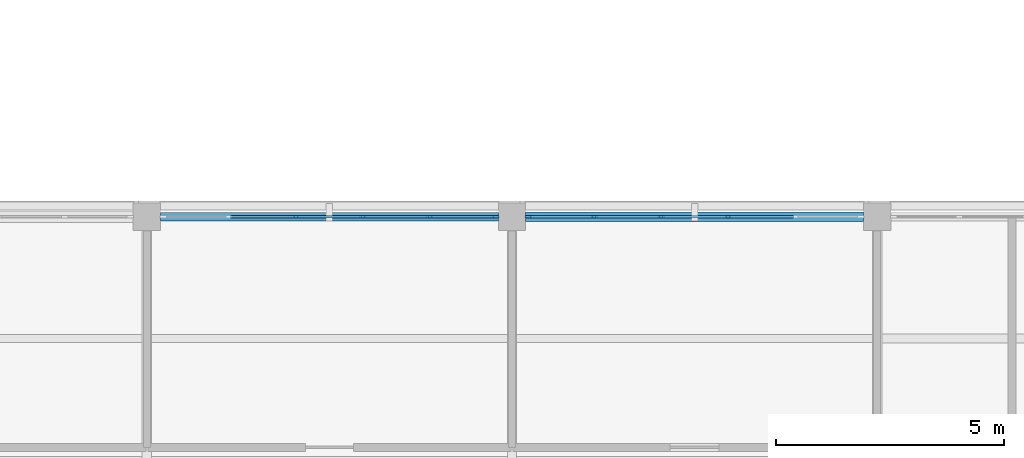
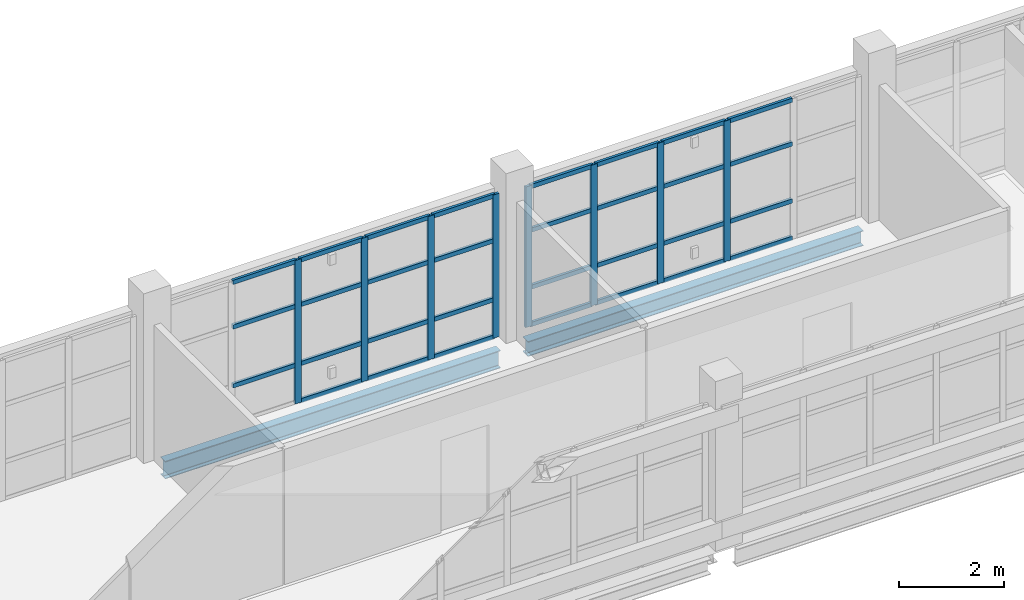
# One storey, part 54 of 126: 39 members, 2 beams, 2 elements without a shape of their own.
"""IFC4 building model written with IfcOpenShell, lengths in metres."""

from ifc_helpers import new_model, si_unit, derived_unit, direction, frame, origin, origin_2d, place, context, subcontext, project, spatial, rectangle, i_section, extrude, material, layer, layer_set, material_profile, profile_set, type_object, element, aggregate, save


model = new_model("IFC4")

# Units and contexts
model_context = context("Model", 3, precision=1e-05, world=origin(), true_north=direction((0.0, 1.0)))
body_context = subcontext(model_context, "Body", "Model", "MODEL_VIEW")
ifc_project = project(units=[si_unit("LENGTHUNIT", "METRE"), si_unit("AREAUNIT", "SQUARE_METRE"), si_unit("VOLUMEUNIT", "CUBIC_METRE"), si_unit("PLANEANGLEUNIT", "RADIAN"), si_unit("MASSUNIT", "GRAM", prefix="KILO"), derived_unit("THERMALTRANSMITTANCEUNIT", [(si_unit("MASSUNIT", "GRAM", prefix="KILO"), 1), (si_unit("TIMEUNIT", "SECOND"), -3), (si_unit("THERMODYNAMICTEMPERATUREUNIT", "KELVIN"), -1)])], contexts=[model_context])

# Site, building, storey
site_placement = place(None, origin())
site = spatial("IfcSite", under=ifc_project, at=site_placement, CompositionType="ELEMENT")
building_placement = place(site_placement, origin())
building = spatial("IfcBuilding", under=site, at=building_placement, Name="Veyamyaing Civic Hall", CompositionType="ELEMENT")
storey_placement = place(building_placement, frame((0.0, 0.0, 9.89990234375)))
storey = spatial("IfcBuildingStorey", under=building, at=storey_placement, Name="L02", CompositionType="ELEMENT", Elevation=9.89990234375)

# Beams
ifc_material_1 = material(Name="Steel ASTM A992", Category="steel")
ifc_material_profile_1 = material_profile(ifc_material_1, i_section(OverallWidth=0.179931640625, OverallDepth=0.4130859375, WebThickness=0.009765625, FlangeThickness=0.01611328125, FilletRadius=0.010009765625, at=origin_2d()), Name="W410X74")
ifc_profile_set_1 = profile_set([ifc_material_profile_1], Name="Steel ASTM A992")
beam_type_1 = type_object("IfcBeamType", Name="B-10", PredefinedType="SPANDREL", material=ifc_profile_set_1)
beam_1_placement = place(storey_placement, frame((144.300048828125, 56.0, -0.491455078125), z_axis=(1.0, 0.0, 0.0), x_axis=(0.0, 1.0, 0.0)))
element("IfcBeam", 1, at=beam_1_placement, inside=storey, type_object=beam_type_1, Name="Girder B-10 L02 Grid H 19-20", PredefinedType="SPANDREL", context=body_context, shape_type="SweptSolid", body=[
    extrude(i_section(OverallWidth=0.179931640625, OverallDepth=0.4130859375, WebThickness=0.009765625, FlangeThickness=0.01611328125, FilletRadius=0.010009765625, at=origin_2d()), origin(), (0.0, 0.0, 1.0), 7.39990234375),
])
ifc_material_profile_2 = material_profile(ifc_material_1, i_section(OverallWidth=0.2041015625, OverallDepth=0.35009765625, WebThickness=0.0078125, FlangeThickness=0.01513671875, FilletRadius=0.010009765625, at=origin_2d()), Name="W360X72")
ifc_profile_set_2 = profile_set([ifc_material_profile_2], Name="Steel ASTM A992")
beam_type_2 = type_object("IfcBeamType", Name="B-11", PredefinedType="SPANDREL", material=ifc_profile_set_2)
beam_2_placement = place(storey_placement, frame((152.300048828125, 56.0, -0.4599609375), z_axis=(1.0, 0.0, 0.0), x_axis=(0.0, 1.0, 0.0)))
element("IfcBeam", 2, at=beam_2_placement, inside=storey, type_object=beam_type_2, Name="Girder B-11 L02 Grid H 20-21", PredefinedType="SPANDREL", context=body_context, shape_type="SweptSolid", body=[
    extrude(i_section(OverallWidth=0.2041015625, OverallDepth=0.35009765625, WebThickness=0.0078125, FlangeThickness=0.01513671875, FilletRadius=0.010009765625, at=origin_2d()), origin(), (0.0, 0.0, 1.0), 7.39990234375),
])

# Curtain wall, members
ifc_material_2 = material(Name="Anodised aluminium 6063-T6", Category="aluminium")
ifc_layer = layer(ifc_material_2, 0.139892578125, Name="Anodised aluminium 6063-T6")
ifc_layer_set = layer_set([ifc_layer], Name="Anodised aluminium 6063-T6")
curtain_wall_type = type_object("IfcCurtainWallType", Name="CW-04", PredefinedType="NOTDEFINED", material=ifc_layer_set)
curtain_wall_1_placement = place(storey_placement, origin())
curtain_wall_1 = element("IfcCurtainWall", 3, at=curtain_wall_1_placement, inside=storey, type_object=curtain_wall_type, Name="Unitized curtain wall CW-04 L02 N 19.7", PredefinedType="NOTDEFINED")
ifc_material_profile_3 = material_profile(ifc_material_2, rectangle(XDim=0.06005859375, YDim=0.139892578125, at=origin_2d()), Name="ALU-MUL-60X140")
ifc_profile_set_3 = profile_set([ifc_material_profile_3], Name="Anodised aluminium 6063-T6")
member_type_1 = type_object("IfcMemberType", Name="CWM-03", PredefinedType="MULLION", material=ifc_profile_set_3)
member_1_placement = place(storey_placement, frame((147.26611328125, 56.0, 0.0), z_axis=(0.0, 0.0, 1.0), x_axis=(0.0, 1.0, 0.0)))
member_1 = element("IfcMember", 4, at=member_1_placement, type_object=member_type_1, Name="CW-04 mullion 3", PredefinedType="MULLION", context=body_context, shape_type="SweptSolid", body=[
    extrude(rectangle(XDim=0.06005859375, YDim=0.139892578125, at=origin_2d()), origin(), (0.0, 0.0, 1.0), 3.34716796875),
])
member_2_placement = place(storey_placement, frame((148.73388671875, 56.0, 0.0), z_axis=(0.0, 0.0, 1.0), x_axis=(0.0, 1.0, 0.0)))
member_2 = element("IfcMember", 5, at=member_2_placement, type_object=member_type_1, Name="CW-04 mullion 4", PredefinedType="MULLION", context=body_context, shape_type="SweptSolid", body=[
    extrude(rectangle(XDim=0.06005859375, YDim=0.139892578125, at=origin_2d()), origin(), (0.0, 0.0, 1.0), 3.34716796875),
])
member_3_placement = place(storey_placement, frame((150.201904296875, 56.0, 0.0), z_axis=(0.0, 0.0, 1.0), x_axis=(0.0, 1.0, 0.0)))
member_3 = element("IfcMember", 6, at=member_3_placement, type_object=member_type_1, Name="CW-04 mullion 5", PredefinedType="MULLION", context=body_context, shape_type="SweptSolid", body=[
    extrude(rectangle(XDim=0.06005859375, YDim=0.139892578125, at=origin_2d()), origin(), (0.0, 0.0, 1.0), 3.34716796875),
])
member_4_placement = place(storey_placement, frame((151.639892578125, 56.0, 0.0), z_axis=(0.0, 0.0, 1.0), x_axis=(0.0, 1.0, 0.0)))
member_4 = element("IfcMember", 7, at=member_4_placement, type_object=member_type_1, Name="CW-04 mullion 6", PredefinedType="MULLION", context=body_context, shape_type="SweptSolid", body=[
    extrude(rectangle(XDim=0.06005859375, YDim=0.139892578125, at=origin_2d()), origin(), (0.0, 0.0, 1.0), 3.34716796875),
])

curtain_wall_2_placement = place(storey_placement, origin())
curtain_wall_2 = element("IfcCurtainWall", 8, at=curtain_wall_2_placement, inside=storey, type_object=curtain_wall_type, Name="Unitized curtain wall CW-04 L02 N 20.7", PredefinedType="NOTDEFINED")
member_5_placement = place(storey_placement, frame((152.360107421875, 56.0, 0.0), z_axis=(0.0, 0.0, 1.0), x_axis=(0.0, 1.0, 0.0)))
member_5 = element("IfcMember", 9, at=member_5_placement, type_object=member_type_1, Name="CW-04 mullion 1", PredefinedType="MULLION", context=body_context, shape_type="SweptSolid", body=[
    extrude(rectangle(XDim=0.06005859375, YDim=0.139892578125, at=origin_2d()), origin(), (0.0, 0.0, 1.0), 3.280029296875),
])
member_6_placement = place(storey_placement, frame((153.798095703125, 56.0, 0.0), z_axis=(0.0, 0.0, 1.0), x_axis=(0.0, 1.0, 0.0)))
member_6 = element("IfcMember", 10, at=member_6_placement, type_object=member_type_1, Name="CW-04 mullion 2", PredefinedType="MULLION", context=body_context, shape_type="SweptSolid", body=[
    extrude(rectangle(XDim=0.06005859375, YDim=0.139892578125, at=origin_2d()), origin(), (0.0, 0.0, 1.0), 3.280029296875),
])
member_7_placement = place(storey_placement, frame((155.26611328125, 56.0, 0.0), z_axis=(0.0, 0.0, 1.0), x_axis=(0.0, 1.0, 0.0)))
member_7 = element("IfcMember", 11, at=member_7_placement, type_object=member_type_1, Name="CW-04 mullion 3", PredefinedType="MULLION", context=body_context, shape_type="SweptSolid", body=[
    extrude(rectangle(XDim=0.06005859375, YDim=0.139892578125, at=origin_2d()), origin(), (0.0, 0.0, 1.0), 3.280029296875),
])
member_8_placement = place(storey_placement, frame((156.73388671875, 56.0, 0.0), z_axis=(0.0, 0.0, 1.0), x_axis=(0.0, 1.0, 0.0)))
member_8 = element("IfcMember", 12, at=member_8_placement, type_object=member_type_1, Name="CW-04 mullion 4", PredefinedType="MULLION", context=body_context, shape_type="SweptSolid", body=[
    extrude(rectangle(XDim=0.06005859375, YDim=0.139892578125, at=origin_2d()), origin(), (0.0, 0.0, 1.0), 3.280029296875),
])

# Member
ifc_material_profile_4 = material_profile(ifc_material_2, rectangle(XDim=0.06005859375, YDim=0.10009765625, at=origin_2d()), Name="ALU-TRN-60X100")
ifc_profile_set_4 = profile_set([ifc_material_profile_4], Name="Anodised aluminium 6063-T6")
member_type_2 = type_object("IfcMemberType", Name="CWT-03", PredefinedType="USERDEFINED", material=ifc_profile_set_4)
member_9_placement = place(storey_placement, frame((145.827880859375, 56.0, 0.900146484375), z_axis=(1.0, 0.0, 0.0), x_axis=(0.0, 1.0, 0.0)))
member_9 = element("IfcMember", 13, at=member_9_placement, type_object=member_type_2, Name="CW-04 transom 2.2", ObjectType="TRANSOM", PredefinedType="USERDEFINED", context=body_context, shape_type="SweptSolid", body=[
    extrude(rectangle(XDim=0.06005859375, YDim=0.10009765625, at=origin_2d()), origin(), (0.0, 0.0, 1.0), 1.408203125),
])

member_10_placement = place(storey_placement, frame((145.827880859375, 56.0, 2.276123046875), z_axis=(1.0, 0.0, 0.0), x_axis=(0.0, 1.0, 0.0)))
member_10 = element("IfcMember", 14, at=member_10_placement, type_object=member_type_2, Name="CW-04 transom 2.3", ObjectType="TRANSOM", PredefinedType="USERDEFINED", context=body_context, shape_type="SweptSolid", body=[
    extrude(rectangle(XDim=0.06005859375, YDim=0.10009765625, at=origin_2d()), origin(), (0.0, 0.0, 1.0), 1.408203125),
])

member_11_placement = place(storey_placement, frame((145.827880859375, 56.0, 3.317138671875), z_axis=(1.0, 0.0, 0.0), x_axis=(0.0, 1.0, 0.0)))
member_11 = element("IfcMember", 15, at=member_11_placement, type_object=member_type_2, Name="CW-04 transom 2.4", ObjectType="TRANSOM", PredefinedType="USERDEFINED", context=body_context, shape_type="SweptSolid", body=[
    extrude(rectangle(XDim=0.06005859375, YDim=0.10009765625, at=origin_2d()), origin(), (0.0, 0.0, 1.0), 1.408203125),
])

member_12_placement = place(storey_placement, frame((147.2958984375, 56.0, 0.030029296875), z_axis=(1.0, 0.0, 0.0), x_axis=(0.0, 1.0, 0.0)))
member_12 = element("IfcMember", 16, at=member_12_placement, type_object=member_type_2, Name="CW-04 transom 3.1", ObjectType="TRANSOM", PredefinedType="USERDEFINED", context=body_context, shape_type="SweptSolid", body=[
    extrude(rectangle(XDim=0.06005859375, YDim=0.10009765625, at=origin_2d()), origin(), (0.0, 0.0, 1.0), 1.408203125),
])

member_13_placement = place(storey_placement, frame((147.2958984375, 56.0, 0.900146484375), z_axis=(1.0, 0.0, 0.0), x_axis=(0.0, 1.0, 0.0)))
member_13 = element("IfcMember", 17, at=member_13_placement, type_object=member_type_2, Name="CW-04 transom 3.2", ObjectType="TRANSOM", PredefinedType="USERDEFINED", context=body_context, shape_type="SweptSolid", body=[
    extrude(rectangle(XDim=0.06005859375, YDim=0.10009765625, at=origin_2d()), origin(), (0.0, 0.0, 1.0), 1.408203125),
])

member_14_placement = place(storey_placement, frame((147.2958984375, 56.0, 2.276123046875), z_axis=(1.0, 0.0, 0.0), x_axis=(0.0, 1.0, 0.0)))
member_14 = element("IfcMember", 18, at=member_14_placement, type_object=member_type_2, Name="CW-04 transom 3.3", ObjectType="TRANSOM", PredefinedType="USERDEFINED", context=body_context, shape_type="SweptSolid", body=[
    extrude(rectangle(XDim=0.06005859375, YDim=0.10009765625, at=origin_2d()), origin(), (0.0, 0.0, 1.0), 1.408203125),
])

member_15_placement = place(storey_placement, frame((147.2958984375, 56.0, 3.317138671875), z_axis=(1.0, 0.0, 0.0), x_axis=(0.0, 1.0, 0.0)))
member_15 = element("IfcMember", 19, at=member_15_placement, type_object=member_type_2, Name="CW-04 transom 3.4", ObjectType="TRANSOM", PredefinedType="USERDEFINED", context=body_context, shape_type="SweptSolid", body=[
    extrude(rectangle(XDim=0.06005859375, YDim=0.10009765625, at=origin_2d()), origin(), (0.0, 0.0, 1.0), 1.408203125),
])

member_16_placement = place(storey_placement, frame((148.763916015625, 56.0, 0.030029296875), z_axis=(1.0, 0.0, 0.0), x_axis=(0.0, 1.0, 0.0)))
member_16 = element("IfcMember", 20, at=member_16_placement, type_object=member_type_2, Name="CW-04 transom 4.1", ObjectType="TRANSOM", PredefinedType="USERDEFINED", context=body_context, shape_type="SweptSolid", body=[
    extrude(rectangle(XDim=0.06005859375, YDim=0.10009765625, at=origin_2d()), origin(), (0.0, 0.0, 1.0), 1.408203125),
])

member_17_placement = place(storey_placement, frame((148.763916015625, 56.0, 0.900146484375), z_axis=(1.0, 0.0, 0.0), x_axis=(0.0, 1.0, 0.0)))
member_17 = element("IfcMember", 21, at=member_17_placement, type_object=member_type_2, Name="CW-04 transom 4.2", ObjectType="TRANSOM", PredefinedType="USERDEFINED", context=body_context, shape_type="SweptSolid", body=[
    extrude(rectangle(XDim=0.06005859375, YDim=0.10009765625, at=origin_2d()), origin(), (0.0, 0.0, 1.0), 1.408203125),
])

member_18_placement = place(storey_placement, frame((148.763916015625, 56.0, 2.276123046875), z_axis=(1.0, 0.0, 0.0), x_axis=(0.0, 1.0, 0.0)))
member_18 = element("IfcMember", 22, at=member_18_placement, type_object=member_type_2, Name="CW-04 transom 4.3", ObjectType="TRANSOM", PredefinedType="USERDEFINED", context=body_context, shape_type="SweptSolid", body=[
    extrude(rectangle(XDim=0.06005859375, YDim=0.10009765625, at=origin_2d()), origin(), (0.0, 0.0, 1.0), 1.408203125),
])

member_19_placement = place(storey_placement, frame((148.763916015625, 56.0, 3.317138671875), z_axis=(1.0, 0.0, 0.0), x_axis=(0.0, 1.0, 0.0)))
member_19 = element("IfcMember", 23, at=member_19_placement, type_object=member_type_2, Name="CW-04 transom 4.4", ObjectType="TRANSOM", PredefinedType="USERDEFINED", context=body_context, shape_type="SweptSolid", body=[
    extrude(rectangle(XDim=0.06005859375, YDim=0.10009765625, at=origin_2d()), origin(), (0.0, 0.0, 1.0), 1.408203125),
])

member_20_placement = place(storey_placement, frame((150.23193359375, 56.0, 0.030029296875), z_axis=(1.0, 0.0, 0.0), x_axis=(0.0, 1.0, 0.0)))
member_20 = element("IfcMember", 24, at=member_20_placement, type_object=member_type_2, Name="CW-04 transom 5.1", ObjectType="TRANSOM", PredefinedType="USERDEFINED", context=body_context, shape_type="SweptSolid", body=[
    extrude(rectangle(XDim=0.06005859375, YDim=0.10009765625, at=origin_2d()), origin(), (0.0, 0.0, 1.0), 1.378173828125),
])

member_21_placement = place(storey_placement, frame((150.23193359375, 56.0, 0.900146484375), z_axis=(1.0, 0.0, 0.0), x_axis=(0.0, 1.0, 0.0)))
member_21 = element("IfcMember", 25, at=member_21_placement, type_object=member_type_2, Name="CW-04 transom 5.2", ObjectType="TRANSOM", PredefinedType="USERDEFINED", context=body_context, shape_type="SweptSolid", body=[
    extrude(rectangle(XDim=0.06005859375, YDim=0.10009765625, at=origin_2d()), origin(), (0.0, 0.0, 1.0), 1.378173828125),
])

member_22_placement = place(storey_placement, frame((150.23193359375, 56.0, 2.276123046875), z_axis=(1.0, 0.0, 0.0), x_axis=(0.0, 1.0, 0.0)))
member_22 = element("IfcMember", 26, at=member_22_placement, type_object=member_type_2, Name="CW-04 transom 5.3", ObjectType="TRANSOM", PredefinedType="USERDEFINED", context=body_context, shape_type="SweptSolid", body=[
    extrude(rectangle(XDim=0.06005859375, YDim=0.10009765625, at=origin_2d()), origin(), (0.0, 0.0, 1.0), 1.378173828125),
])

member_23_placement = place(storey_placement, frame((150.23193359375, 56.0, 3.317138671875), z_axis=(1.0, 0.0, 0.0), x_axis=(0.0, 1.0, 0.0)))
member_23 = element("IfcMember", 27, at=member_23_placement, type_object=member_type_2, Name="CW-04 transom 5.4", ObjectType="TRANSOM", PredefinedType="USERDEFINED", context=body_context, shape_type="SweptSolid", body=[
    extrude(rectangle(XDim=0.06005859375, YDim=0.10009765625, at=origin_2d()), origin(), (0.0, 0.0, 1.0), 1.378173828125),
])

aggregate(curtain_wall_1, [member_1, member_2, member_3, member_4, member_9, member_10, member_11, member_12, member_13, member_14, member_15, member_16, member_17, member_18, member_19, member_20, member_21, member_22, member_23])

member_24_placement = place(storey_placement, frame((152.389892578125, 56.0, 0.030029296875), z_axis=(1.0, 0.0, 0.0), x_axis=(0.0, 1.0, 0.0)))
member_24 = element("IfcMember", 28, at=member_24_placement, type_object=member_type_2, Name="CW-04 transom 1.1", ObjectType="TRANSOM", PredefinedType="USERDEFINED", context=body_context, shape_type="SweptSolid", body=[
    extrude(rectangle(XDim=0.06005859375, YDim=0.10009765625, at=origin_2d()), origin(), (0.0, 0.0, 1.0), 1.378173828125),
])

member_25_placement = place(storey_placement, frame((152.389892578125, 56.0, 0.900146484375), z_axis=(1.0, 0.0, 0.0), x_axis=(0.0, 1.0, 0.0)))
member_25 = element("IfcMember", 29, at=member_25_placement, type_object=member_type_2, Name="CW-04 transom 1.2", ObjectType="TRANSOM", PredefinedType="USERDEFINED", context=body_context, shape_type="SweptSolid", body=[
    extrude(rectangle(XDim=0.06005859375, YDim=0.10009765625, at=origin_2d()), origin(), (0.0, 0.0, 1.0), 1.378173828125),
])

member_26_placement = place(storey_placement, frame((152.389892578125, 56.0, 2.23046875), z_axis=(1.0, 0.0, 0.0), x_axis=(0.0, 1.0, 0.0)))
member_26 = element("IfcMember", 30, at=member_26_placement, type_object=member_type_2, Name="CW-04 transom 1.3", ObjectType="TRANSOM", PredefinedType="USERDEFINED", context=body_context, shape_type="SweptSolid", body=[
    extrude(rectangle(XDim=0.06005859375, YDim=0.10009765625, at=origin_2d()), origin(), (0.0, 0.0, 1.0), 1.378173828125),
])

member_27_placement = place(storey_placement, frame((152.389892578125, 56.0, 3.25), z_axis=(1.0, 0.0, 0.0), x_axis=(0.0, 1.0, 0.0)))
member_27 = element("IfcMember", 31, at=member_27_placement, type_object=member_type_2, Name="CW-04 transom 1.4", ObjectType="TRANSOM", PredefinedType="USERDEFINED", context=body_context, shape_type="SweptSolid", body=[
    extrude(rectangle(XDim=0.06005859375, YDim=0.10009765625, at=origin_2d()), origin(), (0.0, 0.0, 1.0), 1.378173828125),
])

member_28_placement = place(storey_placement, frame((153.827880859375, 56.0, 0.030029296875), z_axis=(1.0, 0.0, 0.0), x_axis=(0.0, 1.0, 0.0)))
member_28 = element("IfcMember", 32, at=member_28_placement, type_object=member_type_2, Name="CW-04 transom 2.1", ObjectType="TRANSOM", PredefinedType="USERDEFINED", context=body_context, shape_type="SweptSolid", body=[
    extrude(rectangle(XDim=0.06005859375, YDim=0.10009765625, at=origin_2d()), origin(), (0.0, 0.0, 1.0), 1.408203125),
])

member_29_placement = place(storey_placement, frame((153.827880859375, 56.0, 0.900146484375), z_axis=(1.0, 0.0, 0.0), x_axis=(0.0, 1.0, 0.0)))
member_29 = element("IfcMember", 33, at=member_29_placement, type_object=member_type_2, Name="CW-04 transom 2.2", ObjectType="TRANSOM", PredefinedType="USERDEFINED", context=body_context, shape_type="SweptSolid", body=[
    extrude(rectangle(XDim=0.06005859375, YDim=0.10009765625, at=origin_2d()), origin(), (0.0, 0.0, 1.0), 1.408203125),
])

member_30_placement = place(storey_placement, frame((153.827880859375, 56.0, 2.23046875), z_axis=(1.0, 0.0, 0.0), x_axis=(0.0, 1.0, 0.0)))
member_30 = element("IfcMember", 34, at=member_30_placement, type_object=member_type_2, Name="CW-04 transom 2.3", ObjectType="TRANSOM", PredefinedType="USERDEFINED", context=body_context, shape_type="SweptSolid", body=[
    extrude(rectangle(XDim=0.06005859375, YDim=0.10009765625, at=origin_2d()), origin(), (0.0, 0.0, 1.0), 1.408203125),
])

member_31_placement = place(storey_placement, frame((153.827880859375, 56.0, 3.25), z_axis=(1.0, 0.0, 0.0), x_axis=(0.0, 1.0, 0.0)))
member_31 = element("IfcMember", 35, at=member_31_placement, type_object=member_type_2, Name="CW-04 transom 2.4", ObjectType="TRANSOM", PredefinedType="USERDEFINED", context=body_context, shape_type="SweptSolid", body=[
    extrude(rectangle(XDim=0.06005859375, YDim=0.10009765625, at=origin_2d()), origin(), (0.0, 0.0, 1.0), 1.408203125),
])

member_32_placement = place(storey_placement, frame((155.2958984375, 56.0, 0.030029296875), z_axis=(1.0, 0.0, 0.0), x_axis=(0.0, 1.0, 0.0)))
member_32 = element("IfcMember", 36, at=member_32_placement, type_object=member_type_2, Name="CW-04 transom 3.1", ObjectType="TRANSOM", PredefinedType="USERDEFINED", context=body_context, shape_type="SweptSolid", body=[
    extrude(rectangle(XDim=0.06005859375, YDim=0.10009765625, at=origin_2d()), origin(), (0.0, 0.0, 1.0), 1.408203125),
])

member_33_placement = place(storey_placement, frame((155.2958984375, 56.0, 0.900146484375), z_axis=(1.0, 0.0, 0.0), x_axis=(0.0, 1.0, 0.0)))
member_33 = element("IfcMember", 37, at=member_33_placement, type_object=member_type_2, Name="CW-04 transom 3.2", ObjectType="TRANSOM", PredefinedType="USERDEFINED", context=body_context, shape_type="SweptSolid", body=[
    extrude(rectangle(XDim=0.06005859375, YDim=0.10009765625, at=origin_2d()), origin(), (0.0, 0.0, 1.0), 1.408203125),
])

member_34_placement = place(storey_placement, frame((155.2958984375, 56.0, 2.23046875), z_axis=(1.0, 0.0, 0.0), x_axis=(0.0, 1.0, 0.0)))
member_34 = element("IfcMember", 38, at=member_34_placement, type_object=member_type_2, Name="CW-04 transom 3.3", ObjectType="TRANSOM", PredefinedType="USERDEFINED", context=body_context, shape_type="SweptSolid", body=[
    extrude(rectangle(XDim=0.06005859375, YDim=0.10009765625, at=origin_2d()), origin(), (0.0, 0.0, 1.0), 1.408203125),
])

member_35_placement = place(storey_placement, frame((155.2958984375, 56.0, 3.25), z_axis=(1.0, 0.0, 0.0), x_axis=(0.0, 1.0, 0.0)))
member_35 = element("IfcMember", 39, at=member_35_placement, type_object=member_type_2, Name="CW-04 transom 3.4", ObjectType="TRANSOM", PredefinedType="USERDEFINED", context=body_context, shape_type="SweptSolid", body=[
    extrude(rectangle(XDim=0.06005859375, YDim=0.10009765625, at=origin_2d()), origin(), (0.0, 0.0, 1.0), 1.408203125),
])

member_36_placement = place(storey_placement, frame((156.763916015625, 56.0, 0.030029296875), z_axis=(1.0, 0.0, 0.0), x_axis=(0.0, 1.0, 0.0)))
member_36 = element("IfcMember", 40, at=member_36_placement, type_object=member_type_2, Name="CW-04 transom 4.1", ObjectType="TRANSOM", PredefinedType="USERDEFINED", context=body_context, shape_type="SweptSolid", body=[
    extrude(rectangle(XDim=0.06005859375, YDim=0.10009765625, at=origin_2d()), origin(), (0.0, 0.0, 1.0), 1.408203125),
])

member_37_placement = place(storey_placement, frame((156.763916015625, 56.0, 0.900146484375), z_axis=(1.0, 0.0, 0.0), x_axis=(0.0, 1.0, 0.0)))
member_37 = element("IfcMember", 41, at=member_37_placement, type_object=member_type_2, Name="CW-04 transom 4.2", ObjectType="TRANSOM", PredefinedType="USERDEFINED", context=body_context, shape_type="SweptSolid", body=[
    extrude(rectangle(XDim=0.06005859375, YDim=0.10009765625, at=origin_2d()), origin(), (0.0, 0.0, 1.0), 1.408203125),
])

member_38_placement = place(storey_placement, frame((156.763916015625, 56.0, 2.23046875), z_axis=(1.0, 0.0, 0.0), x_axis=(0.0, 1.0, 0.0)))
member_38 = element("IfcMember", 42, at=member_38_placement, type_object=member_type_2, Name="CW-04 transom 4.3", ObjectType="TRANSOM", PredefinedType="USERDEFINED", context=body_context, shape_type="SweptSolid", body=[
    extrude(rectangle(XDim=0.06005859375, YDim=0.10009765625, at=origin_2d()), origin(), (0.0, 0.0, 1.0), 1.408203125),
])

member_39_placement = place(storey_placement, frame((156.763916015625, 56.0, 3.25), z_axis=(1.0, 0.0, 0.0), x_axis=(0.0, 1.0, 0.0)))
member_39 = element("IfcMember", 43, at=member_39_placement, type_object=member_type_2, Name="CW-04 transom 4.4", ObjectType="TRANSOM", PredefinedType="USERDEFINED", context=body_context, shape_type="SweptSolid", body=[
    extrude(rectangle(XDim=0.06005859375, YDim=0.10009765625, at=origin_2d()), origin(), (0.0, 0.0, 1.0), 1.408203125),
])

aggregate(curtain_wall_2, [member_5, member_6, member_7, member_8, member_24, member_25, member_26, member_27, member_28, member_29, member_30, member_31, member_32, member_33, member_34, member_35, member_36, member_37, member_38, member_39])

save(model, "model.ifc")
